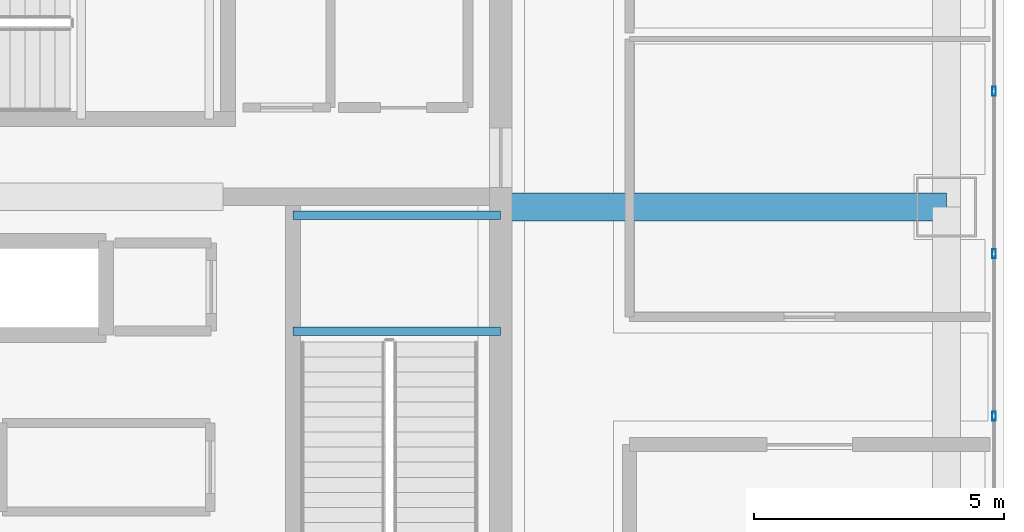
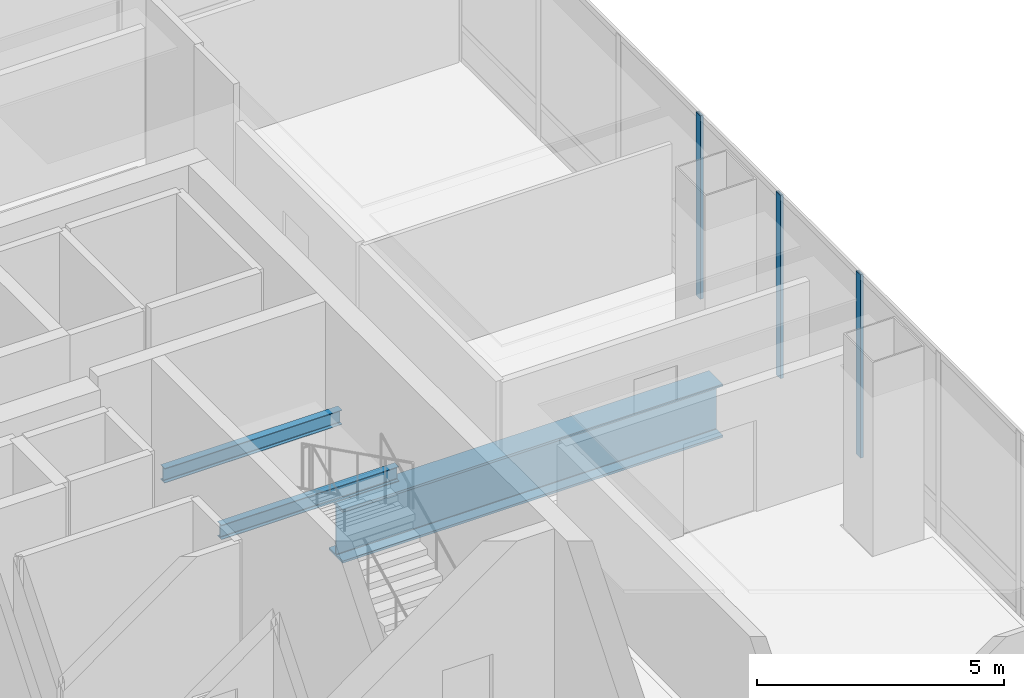
# One storey, part 22 of 44: 3 beams, 3 members, 1 element without a shape of its own.
"""IFC4 building model written with IfcOpenShell, lengths in metres."""

from ifc_helpers import new_model, si_unit, direction, frame, origin, origin_2d, place, context, subcontext, project, spatial, hollow_rectangle, i_section, extrude, material, material_profile, profile_set, type_object, element, aggregate, save


model = new_model("IFC4")

# Units and contexts
model_context = context("Model", 3, precision=1e-05, world=origin(), true_north=direction((0.0, 1.0)))
body_context = subcontext(model_context, "Body", "Model", "MODEL_VIEW")
ifc_project = project(units=[si_unit("LENGTHUNIT", "METRE"), si_unit("AREAUNIT", "SQUARE_METRE"), si_unit("VOLUMEUNIT", "CUBIC_METRE"), si_unit("PLANEANGLEUNIT", "RADIAN"), si_unit("MASSUNIT", "GRAM", prefix="KILO")], contexts=[model_context])

# Site, building, storey
site_placement = place(None, origin())
site = spatial("IfcSite", under=ifc_project, at=site_placement, CompositionType="ELEMENT")
building_placement = place(site_placement, origin())
building = spatial("IfcBuilding", under=site, at=building_placement, Name="Punatoya Terracotta Tower", CompositionType="ELEMENT")
storey_placement = place(building_placement, frame((0.0, 0.0, 334.199951171875)))
storey = spatial("IfcBuildingStorey", under=building, at=storey_placement, Name="L79", CompositionType="ELEMENT", Elevation=334.199951171875)

# Beams
ifc_material_1 = material(Name="Steel S355", Category="steel")
ifc_material_profile_1 = material_profile(ifc_material_1, i_section(OverallWidth=0.169921875, OverallDepth=0.360107421875, WebThickness=0.008056640625, FlangeThickness=0.0126953125, FilletRadius=0.01806640625, at=origin_2d()))
ifc_profile_set_1 = profile_set([ifc_material_profile_1], Name="Steel S355")
beam_type_1 = type_object("IfcBeamType", Name="BM-SEC-360", PredefinedType="JOIST", material=ifc_profile_set_1)
for number, where, z_axis, x_axis, name in (
    (1, (6.050048828125, 0.919921875, 2.02001953125), (1.0, 0.0, 0.0), (0.0, 1.0, 0.0), "BM-L79-ST-2-LD1A"),
    (2, (6.050048828125, 3.22998046875, 2.02001953125), (1.0, 0.0, 0.0), (0.0, 1.0, 0.0), "BM-L79-ST-2-LD1B"),
):
    element("IfcBeam", number, at=place(storey_placement, frame(where, z_axis=z_axis, x_axis=x_axis)), inside=storey, type_object=beam_type_1, Name=name, PredefinedType="JOIST", context=body_context, shape_type="SweptSolid", body=[
        extrude(i_section(OverallWidth=0.169921875, OverallDepth=0.360107421875, WebThickness=0.008056640625, FlangeThickness=0.0126953125, FilletRadius=0.01806640625, at=origin_2d()), origin(), (0.0, 0.0, 1.0), 4.14990234375),
    ])
ifc_material_2 = material(Name="Steel S460", Category="steel")
ifc_material_profile_2 = material_profile(ifc_material_2, i_section(OverallWidth=0.56005859375, OverallDepth=1.320068359375, WebThickness=0.035888671875, FlangeThickness=0.054931640625, FilletRadius=0.01806640625, at=origin_2d()))
ifc_profile_set_2 = profile_set([ifc_material_profile_2], Name="Steel S460")
beam_type_2 = type_object("IfcBeamType", Name="BM-TG-BLK", PredefinedType="BEAM", material=ifc_profile_set_2)
beam_placement = place(storey_placement, frame((10.199951171875, 3.39990234375, -0.919921875), z_axis=(1.0, 0.0, 0.0), x_axis=(0.0, 1.0, 0.0)))
element("IfcBeam", 3, at=beam_placement, inside=storey, type_object=beam_type_2, Name="BM-L79-PR-EE", PredefinedType="BEAM", context=body_context, shape_type="SweptSolid", body=[
    extrude(i_section(OverallWidth=0.56005859375, OverallDepth=1.320068359375, WebThickness=0.035888671875, FlangeThickness=0.054931640625, FilletRadius=0.01806640625, at=origin_2d()), origin(), (0.0, 0.0, 1.0), 8.900146484375),
])

# Curtain wall, members
ifc_material_3 = material(Name="Aluminium 6063-T6 + Double Low-E Glass", Category="aluminium")
curtain_wall_type = type_object("IfcCurtainWallType", Name="CW-OBS", PredefinedType="NOTDEFINED", material=ifc_material_3)
curtain_wall_placement = place(storey_placement, origin())
curtain_wall = element("IfcCurtainWall", 4, at=curtain_wall_placement, inside=storey, type_object=curtain_wall_type, Name="L79 Curtain Wall CW-L79-E10-1", PredefinedType="NOTDEFINED")
ifc_material_4 = material(Name="Aluminium 6063-T6", Category="aluminium")
ifc_material_profile_3 = material_profile(ifc_material_4, hollow_rectangle(XDim=0.070068359375, YDim=0.179931640625, WallThickness=0.00390625, at=origin_2d()))
ifc_profile_set_3 = profile_set([ifc_material_profile_3], Name="Aluminium 6063-T6")
member_type = type_object("IfcMemberType", Name="CW-MUL-M3", PredefinedType="MULLION", material=ifc_profile_set_3)
member_1_placement = place(storey_placement, frame((20.050048828125, -0.778564453125, 0.0), z_axis=(0.0, 0.0, 1.0), x_axis=(1.0, 0.0, 0.0)))
member_1 = element("IfcMember", 5, at=member_1_placement, type_object=member_type, Name="CW-L79-E10-1 Mullion 06", PredefinedType="MULLION", context=body_context, shape_type="SweptSolid", body=[
    extrude(hollow_rectangle(XDim=0.070068359375, YDim=0.179931640625, WallThickness=0.00390625, at=origin_2d()), origin(), (0.0, 0.0, 1.0), 4.5400390625),
])
member_2_placement = place(storey_placement, frame((20.050048828125, 2.464599609375, 0.0), z_axis=(0.0, 0.0, 1.0), x_axis=(1.0, 0.0, 0.0)))
member_2 = element("IfcMember", 6, at=member_2_placement, type_object=member_type, Name="CW-L79-E10-1 Mullion 07", PredefinedType="MULLION", context=body_context, shape_type="SweptSolid", body=[
    extrude(hollow_rectangle(XDim=0.070068359375, YDim=0.179931640625, WallThickness=0.00390625, at=origin_2d()), origin(), (0.0, 0.0, 1.0), 4.5400390625),
])
member_3_placement = place(storey_placement, frame((20.050048828125, 5.707763671875, 0.0), z_axis=(0.0, 0.0, 1.0), x_axis=(1.0, 0.0, 0.0)))
member_3 = element("IfcMember", 7, at=member_3_placement, type_object=member_type, Name="CW-L79-E10-1 Mullion 08", PredefinedType="MULLION", context=body_context, shape_type="SweptSolid", body=[
    extrude(hollow_rectangle(XDim=0.070068359375, YDim=0.179931640625, WallThickness=0.00390625, at=origin_2d()), origin(), (0.0, 0.0, 1.0), 4.5400390625),
])
aggregate(curtain_wall, [member_1, member_2, member_3])

save(model, "model.ifc")
